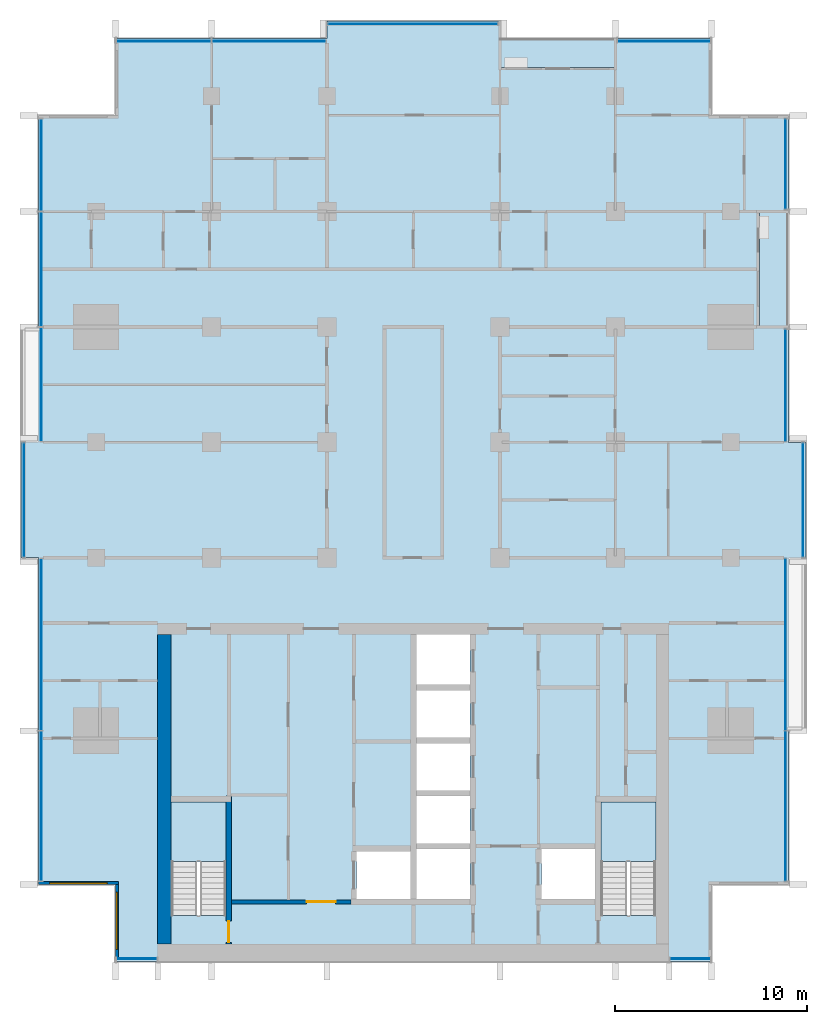
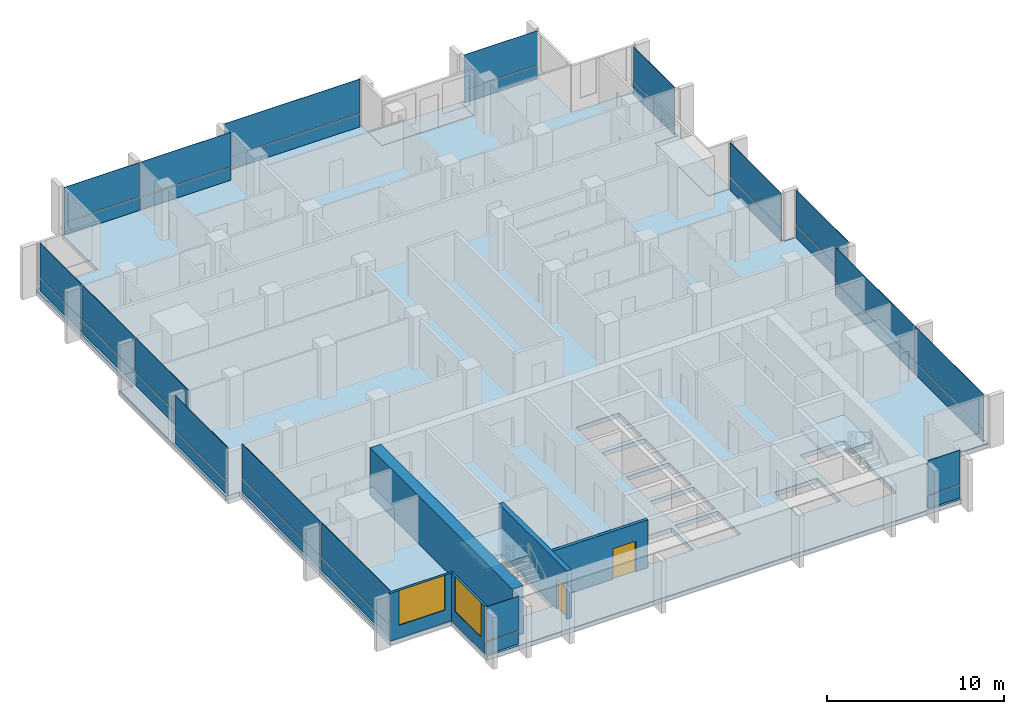
# One storey, part 6 of 16: 34 plates, 5 slabs, 5 walls, 2 doors, 2 windows, 4 openings, 14 elements without a shape of their own.
"""IFC4 building model written with IfcOpenShell, lengths in metres."""

from ifc_helpers import new_model, si_unit, direction, frame, frame_2d, origin, origin_2d, place, context, subcontext, project, spatial, polyline, rectangle, outline, extrude, material, layer, layer_set, type_object, element, fill, aggregate, save


model = new_model("IFC4")

# Units and contexts
model_context = context("Model", 3, precision=1e-05, world=origin(), true_north=direction((0.0, 1.0)))
body_context = subcontext(model_context, "Body", "Model", "MODEL_VIEW")
ifc_project = project(units=[si_unit("LENGTHUNIT", "METRE"), si_unit("AREAUNIT", "SQUARE_METRE"), si_unit("VOLUMEUNIT", "CUBIC_METRE"), si_unit("PLANEANGLEUNIT", "RADIAN"), si_unit("MASSUNIT", "GRAM", prefix="KILO")], contexts=[model_context])

# Site, building, storey
site_placement = place(None, origin())
site = spatial("IfcSite", under=ifc_project, at=site_placement, CompositionType="ELEMENT")
building_placement = place(site_placement, origin())
building = spatial("IfcBuilding", under=site, at=building_placement, Name="Finial Court Residences", CompositionType="ELEMENT")
storey_placement = place(building_placement, frame((0.0, 0.0, 156.5)))
storey = spatial("IfcBuildingStorey", under=building, at=storey_placement, Name="L38", CompositionType="ELEMENT", Elevation=156.5)

# Slabs
ifc_material_1 = material(Name="Concrete C35/45", Category="concrete")
ifc_layer_1 = layer(ifc_material_1, 0.199951171875)
ifc_layer_set_1 = layer_set([ifc_layer_1], Name="Balcony slab, Concrete C35/45 200")
slab_type_1 = type_object("IfcSlabType", Name="Balcony slab, Concrete C35/45 200", PredefinedType="FLOOR", material=ifc_layer_set_1)
slab_1_placement = place(storey_placement, frame((0.0, 0.0, -0.199951171875)))
element("IfcSlab", 1, at=slab_1_placement, inside=storey, type_object=slab_type_1, Name="Balcony L38-N4", PredefinedType="FLOOR", context=body_context, shape_type="SweptSolid", body=[
    extrude(outline(polyline([(10.5, 21.0), (10.5, 22.5), (4.5, 22.5), (4.5, 21.0), (10.5, 21.0)])), origin(), (0.0, 0.0, 1.0), 0.199951171875),
])
slab_2_placement = place(storey_placement, frame((0.0, 0.0, -0.199951171875)))
element("IfcSlab", 2, at=slab_2_placement, inside=storey, type_object=slab_type_1, Name="Balcony L38-E5", PredefinedType="FLOOR", context=body_context, shape_type="SweptSolid", body=[
    extrude(outline(polyline([(19.5, 7.5), (19.5, 13.5), (18.0, 13.5), (18.0, 7.5), (19.5, 7.5)])), origin(), (0.0, 0.0, 1.0), 0.199951171875),
])

# Curtain wall, plates
ifc_material_2 = material(Name="Bronze anodised aluminium", Category="aluminium")
curtain_wall_type = type_object("IfcCurtainWallType", Name="Unitised curtain wall, upper zones", PredefinedType="NOTDEFINED", material=ifc_material_2)
curtain_wall_1_placement = place(storey_placement, origin())
curtain_wall_1 = element("IfcCurtainWall", 3, at=curtain_wall_1_placement, inside=storey, type_object=curtain_wall_type, Name="E-L38-CW-N1", PredefinedType="NOTDEFINED")
ifc_layer_2 = layer(ifc_material_2, 0.035888671875)
ifc_layer_set_2 = layer_set([ifc_layer_2], Name="CW2 spandrel panel 36")
plate_type_1 = type_object("IfcPlateType", Name="CW2 spandrel panel 36", PredefinedType="CURTAIN_PANEL", material=ifc_layer_set_2)
plate_1_placement = place(storey_placement, frame((-12.985107421875, 22.35009765625, 0.0), z_axis=(0.0, 0.0, 1.0), x_axis=(1.0, 0.0, 0.0)))
plate_1 = element("IfcPlate", 4, at=plate_1_placement, type_object=plate_type_1, Name="CW2 spandrel 1.1", PredefinedType="CURTAIN_PANEL", context=body_context, shape_type="SweptSolid", body=[
    extrude(rectangle(XDim=4.909912109375, YDim=0.035888671875, at=origin_2d()), origin(), (0.0, 0.0, 1.0), 0.8701171875),
])
plate_2_placement = place(storey_placement, frame((-7.514892578125, 22.35009765625, 0.0), z_axis=(0.0, 0.0, 1.0), x_axis=(1.0, 0.0, 0.0)))
plate_2 = element("IfcPlate", 5, at=plate_2_placement, type_object=plate_type_1, Name="CW2 spandrel 2.1", PredefinedType="CURTAIN_PANEL", context=body_context, shape_type="SweptSolid", body=[
    extrude(rectangle(XDim=5.909912109375, YDim=0.035888671875, at=origin_2d()), origin(), (0.0, 0.0, 1.0), 0.8701171875),
])

# Curtain wall, plate
curtain_wall_2_placement = place(storey_placement, origin())
curtain_wall_2 = element("IfcCurtainWall", 6, at=curtain_wall_2_placement, inside=storey, type_object=curtain_wall_type, Name="E-L38-CW-N2", PredefinedType="NOTDEFINED")
plate_3_placement = place(storey_placement, frame((-0.03759765625, 23.25, 0.0), z_axis=(0.0, 0.0, 1.0), x_axis=(1.0, 0.0, 0.0)))
plate_3 = element("IfcPlate", 7, at=plate_3_placement, type_object=plate_type_1, Name="CW2 spandrel 1.1", PredefinedType="CURTAIN_PANEL", context=body_context, shape_type="SweptSolid", body=[
    extrude(rectangle(XDim=8.804931640625, YDim=0.035888671875, at=origin_2d()), origin(), (0.0, 0.0, 1.0), 0.8701171875),
])

curtain_wall_3_placement = place(storey_placement, origin())
curtain_wall_3 = element("IfcCurtainWall", 8, at=curtain_wall_3_placement, inside=storey, type_object=curtain_wall_type, Name="E-L38-CW-N3", PredefinedType="NOTDEFINED")
plate_4_placement = place(storey_placement, frame((13.03759765625, 22.35009765625, 0.0), z_axis=(0.0, 0.0, 1.0), x_axis=(1.0, 0.0, 0.0)))
plate_4 = element("IfcPlate", 9, at=plate_4_placement, type_object=plate_type_1, Name="CW2 spandrel 1.1", PredefinedType="CURTAIN_PANEL", context=body_context, shape_type="SweptSolid", body=[
    extrude(rectangle(XDim=4.804931640625, YDim=0.035888671875, at=origin_2d()), origin(), (0.0, 0.0, 1.0), 0.8701171875),
])

# Curtain wall, plates
curtain_wall_4_placement = place(storey_placement, origin())
curtain_wall_4 = element("IfcCurtainWall", 10, at=curtain_wall_4_placement, inside=storey, type_object=curtain_wall_type, Name="E-L38-CW-E4", PredefinedType="NOTDEFINED")
plate_5_placement = place(storey_placement, frame((19.35009765625, -17.409912109375, 0.0), z_axis=(0.0, 0.0, 1.0), x_axis=(0.0, 1.0, 0.0)))
plate_5 = element("IfcPlate", 11, at=plate_5_placement, type_object=plate_type_1, Name="CW2 spandrel 1.1", PredefinedType="CURTAIN_PANEL", context=body_context, shape_type="SweptSolid", body=[
    extrude(rectangle(XDim=7.760009765625, YDim=0.035888671875, at=origin_2d()), origin(), (0.0, 0.0, 1.0), 0.8701171875),
])
plate_6_placement = place(storey_placement, frame((19.35009765625, -9.014892578125, 0.0), z_axis=(0.0, 0.0, 1.0), x_axis=(0.0, 1.0, 0.0)))
plate_6 = element("IfcPlate", 12, at=plate_6_placement, type_object=plate_type_1, Name="CW2 spandrel 2.1", PredefinedType="CURTAIN_PANEL", context=body_context, shape_type="SweptSolid", body=[
    extrude(rectangle(XDim=8.909912109375, YDim=0.035888671875, at=origin_2d()), origin(), (0.0, 0.0, 1.0), 0.8701171875),
])

# Curtain wall, plate
curtain_wall_5_placement = place(storey_placement, origin())
curtain_wall_5 = element("IfcCurtainWall", 13, at=curtain_wall_5_placement, inside=storey, type_object=curtain_wall_type, Name="E-L38-CW-E5", PredefinedType="NOTDEFINED")
plate_7_placement = place(storey_placement, frame((20.25, -1.5, 0.0), z_axis=(0.0, 0.0, 1.0), x_axis=(0.0, 1.0, 0.0)))
plate_7 = element("IfcPlate", 14, at=plate_7_placement, type_object=plate_type_1, Name="CW2 spandrel 1.1", PredefinedType="CURTAIN_PANEL", context=body_context, shape_type="SweptSolid", body=[
    extrude(rectangle(XDim=5.8798828125, YDim=0.035888671875, at=origin_2d()), origin(), (0.0, 0.0, 1.0), 0.8701171875),
])

curtain_wall_6_placement = place(storey_placement, origin())
curtain_wall_6 = element("IfcCurtainWall", 15, at=curtain_wall_6_placement, inside=storey, type_object=curtain_wall_type, Name="E-L38-CW-E6", PredefinedType="NOTDEFINED")
plate_8_placement = place(storey_placement, frame((19.35009765625, 4.46240234375, 0.0), z_axis=(0.0, 0.0, 1.0), x_axis=(0.0, 1.0, 0.0)))
plate_8 = element("IfcPlate", 16, at=plate_8_placement, type_object=plate_type_1, Name="CW2 spandrel 1.1", PredefinedType="CURTAIN_PANEL", context=body_context, shape_type="SweptSolid", body=[
    extrude(rectangle(XDim=5.804931640625, YDim=0.035888671875, at=origin_2d()), origin(), (0.0, 0.0, 1.0), 0.8701171875),
])

curtain_wall_7_placement = place(storey_placement, origin())
curtain_wall_7 = element("IfcCurtainWall", 17, at=curtain_wall_7_placement, inside=storey, type_object=curtain_wall_type, Name="E-L38-CW-E7", PredefinedType="NOTDEFINED")
plate_9_placement = place(storey_placement, frame((19.35009765625, 15.96240234375, 0.0), z_axis=(0.0, 0.0, 1.0), x_axis=(0.0, 1.0, 0.0)))
plate_9 = element("IfcPlate", 18, at=plate_9_placement, type_object=plate_type_1, Name="CW2 spandrel 1.1", PredefinedType="CURTAIN_PANEL", context=body_context, shape_type="SweptSolid", body=[
    extrude(rectangle(XDim=4.655029296875, YDim=0.035888671875, at=origin_2d()), origin(), (0.0, 0.0, 1.0), 0.8701171875),
])

curtain_wall_8_placement = place(storey_placement, origin())
curtain_wall_8 = element("IfcCurtainWall", 19, at=curtain_wall_8_placement, inside=storey, type_object=curtain_wall_type, Name="E-L38-CW-S8", PredefinedType="NOTDEFINED")
plate_10_placement = place(storey_placement, frame((-14.39990234375, -25.35009765625, 0.0), z_axis=(0.0, 0.0, 1.0), x_axis=(1.0, 0.0, 0.0)))
plate_10 = element("IfcPlate", 20, at=plate_10_placement, type_object=plate_type_1, Name="CW2 spandrel 1.1", PredefinedType="CURTAIN_PANEL", context=body_context, shape_type="SweptSolid", body=[
    extrude(rectangle(XDim=2.080078125, YDim=0.035888671875, at=origin_2d()), origin(), (0.0, 0.0, 1.0), 0.8701171875),
])

curtain_wall_9_placement = place(storey_placement, origin())
curtain_wall_9 = element("IfcCurtainWall", 21, at=curtain_wall_9_placement, inside=storey, type_object=curtain_wall_type, Name="E-L38-CW-S9", PredefinedType="NOTDEFINED")
plate_11_placement = place(storey_placement, frame((14.39990234375, -25.35009765625, 0.0), z_axis=(0.0, 0.0, 1.0), x_axis=(1.0, 0.0, 0.0)))
plate_11 = element("IfcPlate", 22, at=plate_11_placement, type_object=plate_type_1, Name="CW2 spandrel 1.1", PredefinedType="CURTAIN_PANEL", context=body_context, shape_type="SweptSolid", body=[
    extrude(rectangle(XDim=2.080078125, YDim=0.035888671875, at=origin_2d()), origin(), (0.0, 0.0, 1.0), 0.8701171875),
])

# Curtain wall, plates
curtain_wall_10_placement = place(storey_placement, origin())
curtain_wall_10 = element("IfcCurtainWall", 23, at=curtain_wall_10_placement, inside=storey, type_object=curtain_wall_type, Name="E-L38-CW-W10", PredefinedType="NOTDEFINED")
plate_12_placement = place(storey_placement, frame((-19.35009765625, -17.409912109375, 0.0), z_axis=(0.0, 0.0, 1.0), x_axis=(0.0, 1.0, 0.0)))
plate_12 = element("IfcPlate", 24, at=plate_12_placement, type_object=plate_type_1, Name="CW2 spandrel 1.1", PredefinedType="CURTAIN_PANEL", context=body_context, shape_type="SweptSolid", body=[
    extrude(rectangle(XDim=7.760009765625, YDim=0.035888671875, at=origin_2d()), origin(), (0.0, 0.0, 1.0), 0.8701171875),
])
plate_13_placement = place(storey_placement, frame((-19.35009765625, -9.014892578125, 0.0), z_axis=(0.0, 0.0, 1.0), x_axis=(0.0, 1.0, 0.0)))
plate_13 = element("IfcPlate", 25, at=plate_13_placement, type_object=plate_type_1, Name="CW2 spandrel 2.1", PredefinedType="CURTAIN_PANEL", context=body_context, shape_type="SweptSolid", body=[
    extrude(rectangle(XDim=8.909912109375, YDim=0.035888671875, at=origin_2d()), origin(), (0.0, 0.0, 1.0), 0.8701171875),
])

# Curtain wall, plate
curtain_wall_11_placement = place(storey_placement, origin())
curtain_wall_11 = element("IfcCurtainWall", 26, at=curtain_wall_11_placement, inside=storey, type_object=curtain_wall_type, Name="E-L38-CW-W11", PredefinedType="NOTDEFINED")
plate_14_placement = place(storey_placement, frame((-20.25, -1.5, 0.0), z_axis=(0.0, 0.0, 1.0), x_axis=(0.0, 1.0, 0.0)))
plate_14 = element("IfcPlate", 27, at=plate_14_placement, type_object=plate_type_1, Name="CW2 spandrel 1.1", PredefinedType="CURTAIN_PANEL", context=body_context, shape_type="SweptSolid", body=[
    extrude(rectangle(XDim=5.8798828125, YDim=0.035888671875, at=origin_2d()), origin(), (0.0, 0.0, 1.0), 0.8701171875),
])

# Curtain wall, plates
curtain_wall_12_placement = place(storey_placement, origin())
curtain_wall_12 = element("IfcCurtainWall", 28, at=curtain_wall_12_placement, inside=storey, type_object=curtain_wall_type, Name="E-L38-CW-W12", PredefinedType="NOTDEFINED")
plate_15_placement = place(storey_placement, frame((-19.35009765625, 4.514892578125, 0.0), z_axis=(0.0, 0.0, 1.0), x_axis=(0.0, 1.0, 0.0)))
plate_15 = element("IfcPlate", 29, at=plate_15_placement, type_object=plate_type_1, Name="CW2 spandrel 1.1", PredefinedType="CURTAIN_PANEL", context=body_context, shape_type="SweptSolid", body=[
    extrude(rectangle(XDim=5.909912109375, YDim=0.035888671875, at=origin_2d()), origin(), (0.0, 0.0, 1.0), 0.8701171875),
])
plate_16_placement = place(storey_placement, frame((-19.35009765625, 10.5, 0.0), z_axis=(0.0, 0.0, 1.0), x_axis=(0.0, 1.0, 0.0)))
plate_16 = element("IfcPlate", 30, at=plate_16_placement, type_object=plate_type_1, Name="CW2 spandrel 2.1", PredefinedType="CURTAIN_PANEL", context=body_context, shape_type="SweptSolid", body=[
    extrude(rectangle(XDim=5.93994140625, YDim=0.035888671875, at=origin_2d()), origin(), (0.0, 0.0, 1.0), 0.8701171875),
])
plate_17_placement = place(storey_placement, frame((-19.35009765625, 15.909912109375, 0.0), z_axis=(0.0, 0.0, 1.0), x_axis=(0.0, 1.0, 0.0)))
plate_17 = element("IfcPlate", 31, at=plate_17_placement, type_object=plate_type_1, Name="CW2 spandrel 3.1", PredefinedType="CURTAIN_PANEL", context=body_context, shape_type="SweptSolid", body=[
    extrude(rectangle(XDim=4.760009765625, YDim=0.035888671875, at=origin_2d()), origin(), (0.0, 0.0, 1.0), 0.8701171875),
])

# Plate
ifc_material_3 = material(Name="Clear low-e glass", Category="glass")
ifc_layer_3 = layer(ifc_material_3, 0.030029296875)
ifc_layer_set_3 = layer_set([ifc_layer_3], Name="CW2 vision glass 30")
plate_type_2 = type_object("IfcPlateType", Name="CW2 vision glass 30", PredefinedType="CURTAIN_PANEL", material=ifc_layer_set_3)
plate_18_placement = place(storey_placement, frame((-12.985107421875, 22.35009765625, 0.929931640625), z_axis=(0.0, 0.0, 1.0), x_axis=(1.0, 0.0, 0.0)))
plate_18 = element("IfcPlate", 32, at=plate_18_placement, type_object=plate_type_2, Name="CW2 glass 1.2", PredefinedType="CURTAIN_PANEL", context=body_context, shape_type="SweptSolid", body=[
    extrude(rectangle(XDim=4.909912109375, YDim=0.030029296875, at=origin_2d()), origin(), (0.0, 0.0, 1.0), 2.3701171875),
])

plate_19_placement = place(storey_placement, frame((-7.514892578125, 22.35009765625, 0.929931640625), z_axis=(0.0, 0.0, 1.0), x_axis=(1.0, 0.0, 0.0)))
plate_19 = element("IfcPlate", 33, at=plate_19_placement, type_object=plate_type_2, Name="CW2 glass 2.2", PredefinedType="CURTAIN_PANEL", context=body_context, shape_type="SweptSolid", body=[
    extrude(rectangle(XDim=5.909912109375, YDim=0.030029296875, at=origin_2d()), origin(), (0.0, 0.0, 1.0), 2.3701171875),
])

aggregate(curtain_wall_1, [plate_1, plate_18, plate_2, plate_19])

plate_20_placement = place(storey_placement, frame((-0.03759765625, 23.25, 0.929931640625), z_axis=(0.0, 0.0, 1.0), x_axis=(1.0, 0.0, 0.0)))
plate_20 = element("IfcPlate", 34, at=plate_20_placement, type_object=plate_type_2, Name="CW2 glass 1.2", PredefinedType="CURTAIN_PANEL", context=body_context, shape_type="SweptSolid", body=[
    extrude(rectangle(XDim=8.804931640625, YDim=0.030029296875, at=origin_2d()), origin(), (0.0, 0.0, 1.0), 2.3701171875),
])

aggregate(curtain_wall_2, [plate_3, plate_20])

plate_21_placement = place(storey_placement, frame((13.03759765625, 22.35009765625, 0.929931640625), z_axis=(0.0, 0.0, 1.0), x_axis=(1.0, 0.0, 0.0)))
plate_21 = element("IfcPlate", 35, at=plate_21_placement, type_object=plate_type_2, Name="CW2 glass 1.2", PredefinedType="CURTAIN_PANEL", context=body_context, shape_type="SweptSolid", body=[
    extrude(rectangle(XDim=4.804931640625, YDim=0.030029296875, at=origin_2d()), origin(), (0.0, 0.0, 1.0), 2.3701171875),
])

aggregate(curtain_wall_3, [plate_4, plate_21])

plate_22_placement = place(storey_placement, frame((19.35009765625, -17.409912109375, 0.929931640625), z_axis=(0.0, 0.0, 1.0), x_axis=(0.0, 1.0, 0.0)))
plate_22 = element("IfcPlate", 36, at=plate_22_placement, type_object=plate_type_2, Name="CW2 glass 1.2", PredefinedType="CURTAIN_PANEL", context=body_context, shape_type="SweptSolid", body=[
    extrude(rectangle(XDim=7.760009765625, YDim=0.030029296875, at=origin_2d()), origin(), (0.0, 0.0, 1.0), 2.3701171875),
])

plate_23_placement = place(storey_placement, frame((19.35009765625, -9.014892578125, 0.929931640625), z_axis=(0.0, 0.0, 1.0), x_axis=(0.0, 1.0, 0.0)))
plate_23 = element("IfcPlate", 37, at=plate_23_placement, type_object=plate_type_2, Name="CW2 glass 2.2", PredefinedType="CURTAIN_PANEL", context=body_context, shape_type="SweptSolid", body=[
    extrude(rectangle(XDim=8.909912109375, YDim=0.030029296875, at=origin_2d()), origin(), (0.0, 0.0, 1.0), 2.3701171875),
])

aggregate(curtain_wall_4, [plate_5, plate_22, plate_6, plate_23])

plate_24_placement = place(storey_placement, frame((20.25, -1.5, 0.929931640625), z_axis=(0.0, 0.0, 1.0), x_axis=(0.0, 1.0, 0.0)))
plate_24 = element("IfcPlate", 38, at=plate_24_placement, type_object=plate_type_2, Name="CW2 glass 1.2", PredefinedType="CURTAIN_PANEL", context=body_context, shape_type="SweptSolid", body=[
    extrude(rectangle(XDim=5.8798828125, YDim=0.030029296875, at=origin_2d()), origin(), (0.0, 0.0, 1.0), 2.3701171875),
])

aggregate(curtain_wall_5, [plate_7, plate_24])

plate_25_placement = place(storey_placement, frame((19.35009765625, 4.46240234375, 0.929931640625), z_axis=(0.0, 0.0, 1.0), x_axis=(0.0, 1.0, 0.0)))
plate_25 = element("IfcPlate", 39, at=plate_25_placement, type_object=plate_type_2, Name="CW2 glass 1.2", PredefinedType="CURTAIN_PANEL", context=body_context, shape_type="SweptSolid", body=[
    extrude(rectangle(XDim=5.804931640625, YDim=0.030029296875, at=origin_2d()), origin(), (0.0, 0.0, 1.0), 2.3701171875),
])

aggregate(curtain_wall_6, [plate_8, plate_25])

plate_26_placement = place(storey_placement, frame((19.35009765625, 15.96240234375, 0.929931640625), z_axis=(0.0, 0.0, 1.0), x_axis=(0.0, 1.0, 0.0)))
plate_26 = element("IfcPlate", 40, at=plate_26_placement, type_object=plate_type_2, Name="CW2 glass 1.2", PredefinedType="CURTAIN_PANEL", context=body_context, shape_type="SweptSolid", body=[
    extrude(rectangle(XDim=4.655029296875, YDim=0.030029296875, at=origin_2d()), origin(), (0.0, 0.0, 1.0), 2.3701171875),
])

aggregate(curtain_wall_7, [plate_9, plate_26])

plate_27_placement = place(storey_placement, frame((-14.39990234375, -25.35009765625, 0.929931640625), z_axis=(0.0, 0.0, 1.0), x_axis=(1.0, 0.0, 0.0)))
plate_27 = element("IfcPlate", 41, at=plate_27_placement, type_object=plate_type_2, Name="CW2 glass 1.2", PredefinedType="CURTAIN_PANEL", context=body_context, shape_type="SweptSolid", body=[
    extrude(rectangle(XDim=2.080078125, YDim=0.030029296875, at=origin_2d()), origin(), (0.0, 0.0, 1.0), 2.3701171875),
])

aggregate(curtain_wall_8, [plate_10, plate_27])

plate_28_placement = place(storey_placement, frame((14.39990234375, -25.35009765625, 0.929931640625), z_axis=(0.0, 0.0, 1.0), x_axis=(1.0, 0.0, 0.0)))
plate_28 = element("IfcPlate", 42, at=plate_28_placement, type_object=plate_type_2, Name="CW2 glass 1.2", PredefinedType="CURTAIN_PANEL", context=body_context, shape_type="SweptSolid", body=[
    extrude(rectangle(XDim=2.080078125, YDim=0.030029296875, at=origin_2d()), origin(), (0.0, 0.0, 1.0), 2.3701171875),
])

aggregate(curtain_wall_9, [plate_11, plate_28])

plate_29_placement = place(storey_placement, frame((-19.35009765625, -17.409912109375, 0.929931640625), z_axis=(0.0, 0.0, 1.0), x_axis=(0.0, 1.0, 0.0)))
plate_29 = element("IfcPlate", 43, at=plate_29_placement, type_object=plate_type_2, Name="CW2 glass 1.2", PredefinedType="CURTAIN_PANEL", context=body_context, shape_type="SweptSolid", body=[
    extrude(rectangle(XDim=7.760009765625, YDim=0.030029296875, at=origin_2d()), origin(), (0.0, 0.0, 1.0), 2.3701171875),
])

plate_30_placement = place(storey_placement, frame((-19.35009765625, -9.014892578125, 0.929931640625), z_axis=(0.0, 0.0, 1.0), x_axis=(0.0, 1.0, 0.0)))
plate_30 = element("IfcPlate", 44, at=plate_30_placement, type_object=plate_type_2, Name="CW2 glass 2.2", PredefinedType="CURTAIN_PANEL", context=body_context, shape_type="SweptSolid", body=[
    extrude(rectangle(XDim=8.909912109375, YDim=0.030029296875, at=origin_2d()), origin(), (0.0, 0.0, 1.0), 2.3701171875),
])

aggregate(curtain_wall_10, [plate_12, plate_29, plate_13, plate_30])

plate_31_placement = place(storey_placement, frame((-20.25, -1.5, 0.929931640625), z_axis=(0.0, 0.0, 1.0), x_axis=(0.0, 1.0, 0.0)))
plate_31 = element("IfcPlate", 45, at=plate_31_placement, type_object=plate_type_2, Name="CW2 glass 1.2", PredefinedType="CURTAIN_PANEL", context=body_context, shape_type="SweptSolid", body=[
    extrude(rectangle(XDim=5.8798828125, YDim=0.030029296875, at=origin_2d()), origin(), (0.0, 0.0, 1.0), 2.3701171875),
])

aggregate(curtain_wall_11, [plate_14, plate_31])

plate_32_placement = place(storey_placement, frame((-19.35009765625, 4.514892578125, 0.929931640625), z_axis=(0.0, 0.0, 1.0), x_axis=(0.0, 1.0, 0.0)))
plate_32 = element("IfcPlate", 46, at=plate_32_placement, type_object=plate_type_2, Name="CW2 glass 1.2", PredefinedType="CURTAIN_PANEL", context=body_context, shape_type="SweptSolid", body=[
    extrude(rectangle(XDim=5.909912109375, YDim=0.030029296875, at=origin_2d()), origin(), (0.0, 0.0, 1.0), 2.3701171875),
])

plate_33_placement = place(storey_placement, frame((-19.35009765625, 10.5, 0.929931640625), z_axis=(0.0, 0.0, 1.0), x_axis=(0.0, 1.0, 0.0)))
plate_33 = element("IfcPlate", 47, at=plate_33_placement, type_object=plate_type_2, Name="CW2 glass 2.2", PredefinedType="CURTAIN_PANEL", context=body_context, shape_type="SweptSolid", body=[
    extrude(rectangle(XDim=5.93994140625, YDim=0.030029296875, at=origin_2d()), origin(), (0.0, 0.0, 1.0), 2.3701171875),
])

plate_34_placement = place(storey_placement, frame((-19.35009765625, 15.909912109375, 0.929931640625), z_axis=(0.0, 0.0, 1.0), x_axis=(0.0, 1.0, 0.0)))
plate_34 = element("IfcPlate", 48, at=plate_34_placement, type_object=plate_type_2, Name="CW2 glass 3.2", PredefinedType="CURTAIN_PANEL", context=body_context, shape_type="SweptSolid", body=[
    extrude(rectangle(XDim=4.760009765625, YDim=0.030029296875, at=origin_2d()), origin(), (0.0, 0.0, 1.0), 2.3701171875),
])

aggregate(curtain_wall_12, [plate_15, plate_32, plate_16, plate_33, plate_17, plate_34])

# Stair, slab
ifc_material_4 = material(Name="Concrete C50/60", Category="concrete")
stair_type = type_object("IfcStairType", Name="Exit stair 22 risers of 163.6 mm", PredefinedType="HALF_TURN_STAIR", material=ifc_material_4)
stair_1_placement = place(storey_placement, origin())
stair_1 = element("IfcStair", 49, at=stair_1_placement, inside=storey, type_object=stair_type, Name="L38 Exit stair ST-1", PredefinedType="HALF_TURN_STAIR")
ifc_layer_4 = layer(ifc_material_4, 0.199951171875)
ifc_layer_set_4 = layer_set([ifc_layer_4], Name="Exit stair landing")
slab_type_2 = type_object("IfcSlabType", Name="Exit stair landing", PredefinedType="LANDING", material=ifc_layer_set_4)
slab_3_placement = place(storey_placement, frame((0.0, 0.0, 1.60009765625)))
slab_3 = element("IfcSlab", 50, at=slab_3_placement, type_object=slab_type_2, Name="ST-1 landing 1", PredefinedType="LANDING", context=body_context, shape_type="SweptSolid", body=[
    extrude(outline(polyline([(-9.75, -20.300048828125), (-9.75, -17.199951171875), (-12.60009765625, -17.199951171875), (-12.60009765625, -20.300048828125), (-9.75, -20.300048828125)])), origin(), (0.0, 0.0, 1.0), 0.199951171875),
])
aggregate(stair_1, [slab_3])

stair_2_placement = place(storey_placement, origin())
stair_2 = element("IfcStair", 51, at=stair_2_placement, inside=storey, type_object=stair_type, Name="L38 Exit stair ST-2", PredefinedType="HALF_TURN_STAIR")
slab_4_placement = place(storey_placement, frame((0.0, 0.0, 1.60009765625)))
slab_4 = element("IfcSlab", 52, at=slab_4_placement, type_object=slab_type_2, Name="ST-2 landing 1", PredefinedType="LANDING", context=body_context, shape_type="SweptSolid", body=[
    extrude(outline(polyline([(12.60009765625, -20.300048828125), (12.60009765625, -17.199951171875), (9.75, -17.199951171875), (9.75, -20.300048828125), (12.60009765625, -20.300048828125)])), origin(), (0.0, 0.0, 1.0), 0.199951171875),
])
aggregate(stair_2, [slab_4])

# Slab
ifc_material_5 = material(Name="Concrete C40/50", Category="concrete")
ifc_layer_5 = layer(ifc_material_5, 0.300048828125)
ifc_layer_set_5 = layer_set([ifc_layer_5], Name="Flat plate slab 300 Concrete C40/50")
slab_type_3 = type_object("IfcSlabType", Name="Flat plate slab 300 Concrete C40/50", PredefinedType="FLOOR", material=ifc_layer_set_5)
slab_5_placement = place(storey_placement, frame((0.0, 0.0, -0.300048828125)))
element("IfcSlab", 53, at=slab_5_placement, inside=storey, type_object=slab_type_3, Name="S:SLAB:L38", PredefinedType="FLOOR", context=body_context, shape_type="SweptSolid", body=[
    extrude(outline(polyline([(20.39990234375, -13.5), (19.5, -13.5), (19.5, -21.5), (15.5, -21.5), (15.5, -25.5), (-15.5, -25.5), (-15.5, -21.5), (-19.5, -21.5), (-19.5, -4.5), (-20.39990234375, -4.5), (-20.39990234375, 1.5), (-20.39990234375, 7.5), (-19.5, 7.5), (-19.5, 18.5), (-15.5, 18.5), (-15.5, 22.5), (-4.5, 22.5), (-4.5, 23.39990234375), (4.5, 23.39990234375), (4.5, 22.5), (4.5, 21.0), (10.5, 21.0), (10.5, 22.5), (15.5, 22.5), (15.5, 18.5), (19.5, 18.5), (19.5, 13.5), (18.0, 13.5), (18.0, 7.5), (19.5, 7.5), (19.5, 1.5), (20.39990234375, 1.5), (20.39990234375, -4.5), (20.39990234375, -13.5)]), holes=[polyline([(-0.14990234375, -19.77001953125), (-2.949951171875, -19.77001953125), (-2.949951171875, -22.25), (-0.14990234375, -22.25), (-0.14990234375, -19.77001953125)]), polyline([(2.949951171875, -19.64990234375), (0.14990234375, -19.64990234375), (0.14990234375, -22.25), (2.949951171875, -22.25), (2.949951171875, -19.64990234375)]), polyline([(9.449951171875, -19.64990234375), (6.64990234375, -19.64990234375), (6.64990234375, -22.25), (9.449951171875, -22.25), (9.449951171875, -19.64990234375)]), polyline([(-12.60009765625, -17.199951171875), (-12.60009765625, -23.09912109375), (-9.75, -23.09912109375), (-9.75, -17.199951171875), (-12.60009765625, -17.199951171875)]), polyline([(9.75, -17.199951171875), (9.75, -23.09912109375), (12.60009765625, -23.09912109375), (12.60009765625, -17.199951171875), (9.75, -17.199951171875)]), polyline([(2.949951171875, -16.89990234375), (0.14990234375, -16.89990234375), (0.14990234375, -19.35009765625), (2.949951171875, -19.35009765625), (2.949951171875, -16.89990234375)]), polyline([(2.949951171875, -14.14990234375), (0.14990234375, -14.14990234375), (0.14990234375, -16.60009765625), (2.949951171875, -16.60009765625), (2.949951171875, -14.14990234375)]), polyline([(2.949951171875, -13.85009765625), (2.949951171875, -11.39990234375), (0.14990234375, -11.39990234375), (0.14990234375, -13.85009765625), (2.949951171875, -13.85009765625)]), polyline([(2.949951171875, -11.10009765625), (2.949951171875, -8.5), (0.14990234375, -8.5), (0.14990234375, -11.10009765625), (2.949951171875, -11.10009765625)])]), origin(), (0.0, 0.0, 1.0), 0.300048828125),
])

# Wall
ifc_material_6 = material(Name="Concrete C70/85", Category="concrete")
ifc_layer_6 = layer(ifc_material_6, 0.699951171875)
ifc_layer_set_6 = layer_set([ifc_layer_6], Name="Core outer wall 700 Concrete C70/85")
wall_type_1 = type_object("IfcWallType", Name="Core outer wall 700 Concrete C70/85", PredefinedType="SHEAR", material=ifc_layer_set_6)
wall_1_placement = place(storey_placement, frame((-12.949951171875, -24.60009765625, 0.0), z_axis=(0.0, 0.0, 1.0), x_axis=(0.0, 1.0, 0.0)))
element("IfcWall", 54, at=wall_1_placement, inside=storey, type_object=wall_type_1, Name="Core outer wall L38-03", PredefinedType="SHEAR", context=body_context, shape_type="SweptSolid", body=[
    extrude(rectangle(XDim=16.10009765625, YDim=0.699951171875, at=frame_2d((8.050048828125, 0.0))), origin(), (0.0, 0.0, 1.0), 3.300048828125),
])

# Wall, opening, door
ifc_layer_7 = layer(ifc_material_6, 0.300048828125)
ifc_layer_set_7 = layer_set([ifc_layer_7], Name="Lift shaft and stair wall 300 Concrete C70/85")
wall_type_2 = type_object("IfcWallType", Name="Lift shaft and stair wall 300 Concrete C70/85", PredefinedType="SHEAR", material=ifc_layer_set_7)
wall_2_placement = place(storey_placement, frame((-9.60009765625, -24.60009765625, 0.0), z_axis=(0.0, 0.0, 1.0), x_axis=(0.0, 1.0, 0.0)))
wall_2 = element("IfcWall", 55, at=wall_2_placement, inside=storey, type_object=wall_type_2, Name="Core wall L38-17", PredefinedType="SHEAR", context=body_context, shape_type="SweptSolid", body=[
    extrude(rectangle(XDim=7.7001953125, YDim=0.300048828125, at=frame_2d((3.85009765625, 0.0))), origin(), (0.0, 0.0, 1.0), 3.300048828125),
])
opening_1_placement = place(wall_2_placement, frame((0.10009765625, 0.0, 0.0)))
opening_1 = element("IfcOpeningElement", 56, at=opening_1_placement, cuts=wall_2, Name="Opening L38-C17", PredefinedType="OPENING", context=body_context, shape_type="SweptSolid", body=[
    extrude(rectangle(XDim=1.10009765625, YDim=2.10009765625, at=frame_2d((0.550048828125, 1.050048828125))), frame((0.0, 0.159912109375, 0.0), z_axis=(0.0, -1.0, 0.0), x_axis=(1.0, 0.0, 0.0)), (0.0, 0.0, 1.0), 0.320068359375),
])
ifc_material_7 = material(Name="Steel fire door", Category="steel")
door_type_1 = type_object("IfcDoorType", Name="Stair door 1100 x 2100 EI 90", OperationType="NOTDEFINED", PredefinedType="DOOR", material=ifc_material_7)
door_1_placement = place(opening_1_placement, origin())
door_1 = element("IfcDoor", 57, at=door_1_placement, inside=storey, type_object=door_type_1, Name="Stair door L38-C17", OperationType="SINGLE_SWING_LEFT", OverallHeight=2.10009765625, OverallWidth=1.10009765625, PredefinedType="DOOR", context=body_context, shape_type="SweptSolid", body=[
    extrude(rectangle(XDim=1.10009765625, YDim=2.10009765625, at=frame_2d((0.550048828125, 1.050048828125))), frame((0.0, 0.02490234375, 0.0), z_axis=(0.0, -1.0, 0.0), x_axis=(1.0, 0.0, 0.0)), (0.0, 0.0, 1.0), 0.050048828125),
])
fill(opening_1, door_1)

# Wall, opening, window
ifc_material_8 = material(Name="Natural limestone", Category="masonry")
ifc_layer_8 = layer(ifc_material_8, 0.14990234375)
ifc_layer_set_8 = layer_set([ifc_layer_8], Name="Limestone clad wall 150")
wall_type_3 = type_object("IfcWallType", Name="Limestone clad wall 150", PredefinedType="SOLIDWALL", material=ifc_layer_set_8)
wall_3_placement = place(storey_placement, frame((-15.425048828125, -25.262451171875, 0.0), z_axis=(0.0, 0.0, 1.0), x_axis=(0.0, 1.0, 0.0)))
wall_3 = element("IfcWall", 58, at=wall_3_placement, inside=storey, type_object=wall_type_3, Name="E-L38-NWW13", PredefinedType="SOLIDWALL", context=body_context, shape_type="SweptSolid", body=[
    extrude(rectangle(XDim=3.762451171875, YDim=0.14990234375, at=frame_2d((1.88134765625, 0.0))), origin(), (0.0, 0.0, 1.0), 3.300048828125),
])
opening_2_placement = place(wall_3_placement, frame((0.401123046875, 0.0, 0.89990234375)))
opening_2 = element("IfcOpeningElement", 59, at=opening_2_placement, cuts=wall_3, Name="Opening WE38-01", PredefinedType="OPENING", context=body_context, shape_type="SweptSolid", body=[
    extrude(rectangle(XDim=2.9599609375, YDim=2.39990234375, at=frame_2d((1.47998046875, 1.199951171875))), frame((0.0, 0.0849609375, 0.0), z_axis=(0.0, -1.0, 0.0), x_axis=(1.0, 0.0, 0.0)), (0.0, 0.0, 1.0), 0.169921875),
])
window_type_1 = type_object("IfcWindowType", Name="Corner window 2960 x 2400", PartitioningType="SINGLE_PANEL", PredefinedType="WINDOW", material=ifc_material_3)
window_1_placement = place(opening_2_placement, origin())
window_1 = element("IfcWindow", 60, at=window_1_placement, inside=storey, type_object=window_type_1, Name="E-L38-NWW13-W1", OverallHeight=2.39990234375, OverallWidth=2.9599609375, PartitioningType="SINGLE_PANEL", PredefinedType="WINDOW", context=body_context, shape_type="SweptSolid", body=[
    extrude(rectangle(XDim=2.9599609375, YDim=2.39990234375, at=frame_2d((1.47998046875, 1.199951171875))), frame((0.0, 0.030029296875, 0.0), z_axis=(0.0, -1.0, 0.0), x_axis=(1.0, 0.0, 0.0)), (0.0, 0.0, 1.0), 0.06005859375),
])
fill(opening_2, window_1)

wall_4_placement = place(storey_placement, frame((-15.35009765625, -21.425048828125, 0.0), z_axis=(0.0, 0.0, 1.0), x_axis=(-1.0, 0.0, 0.0)))
wall_4 = element("IfcWall", 61, at=wall_4_placement, inside=storey, type_object=wall_type_3, Name="E-L38-NWS14", PredefinedType="SOLIDWALL", context=body_context, shape_type="SweptSolid", body=[
    extrude(rectangle(XDim=4.14990234375, YDim=0.14990234375, at=frame_2d((2.074951171875, 0.0))), origin(), (0.0, 0.0, 1.0), 3.300048828125),
])
opening_3_placement = place(wall_4_placement, frame((0.574951171875, 0.0, 0.89990234375)))
opening_3 = element("IfcOpeningElement", 62, at=opening_3_placement, cuts=wall_4, Name="Opening WE38-02", PredefinedType="OPENING", context=body_context, shape_type="SweptSolid", body=[
    extrude(rectangle(XDim=3.0, YDim=2.39990234375, at=frame_2d((1.5, 1.199951171875))), frame((0.0, 0.0849609375, 0.0), z_axis=(0.0, -1.0, 0.0), x_axis=(1.0, 0.0, 0.0)), (0.0, 0.0, 1.0), 0.169921875),
])
window_type_2 = type_object("IfcWindowType", Name="Corner window 3000 x 2400", PartitioningType="SINGLE_PANEL", PredefinedType="WINDOW", material=ifc_material_3)
window_2_placement = place(opening_3_placement, origin())
window_2 = element("IfcWindow", 63, at=window_2_placement, inside=storey, type_object=window_type_2, Name="E-L38-NWS14-W1", OverallHeight=2.39990234375, OverallWidth=3.0, PartitioningType="SINGLE_PANEL", PredefinedType="WINDOW", context=body_context, shape_type="SweptSolid", body=[
    extrude(rectangle(XDim=3.0, YDim=2.39990234375, at=frame_2d((1.5, 1.199951171875))), frame((0.0, 0.030029296875, 0.0), z_axis=(0.0, -1.0, 0.0), x_axis=(1.0, 0.0, 0.0)), (0.0, 0.0, 1.0), 0.06005859375),
])
fill(opening_3, window_2)

# Wall, opening, door
ifc_material_9 = material(Name="Fire-rated gypsum board partition")
ifc_layer_9 = layer(ifc_material_9, 0.199951171875)
ifc_layer_set_9 = layer_set([ifc_layer_9], Name="Stair passage wall 200 EI 180")
wall_type_4 = type_object("IfcWallType", Name="Stair passage wall 200 EI 180", PredefinedType="PARTITIONING", material=ifc_layer_set_9)
wall_5_placement = place(storey_placement, frame((-3.25, -22.39990234375, 0.0), z_axis=(0.0, 0.0, 1.0), x_axis=(-1.0, 0.0, 0.0)))
wall_5 = element("IfcWall", 64, at=wall_5_placement, inside=storey, type_object=wall_type_4, Name="Core partition L38-01", PredefinedType="PARTITIONING", context=body_context, shape_type="SweptSolid", body=[
    extrude(rectangle(XDim=6.199951171875, YDim=0.199951171875, at=frame_2d((3.10009765625, 0.0))), origin(), (0.0, 0.0, 1.0), 3.300048828125),
])
opening_4_placement = place(wall_5_placement, frame((0.800048828125, 0.0, 0.0)))
opening_4 = element("IfcOpeningElement", 65, at=opening_4_placement, cuts=wall_5, Name="Opening L38-C03", PredefinedType="OPENING", context=body_context, shape_type="SweptSolid", body=[
    extrude(rectangle(XDim=1.5, YDim=2.10009765625, at=frame_2d((0.75, 1.050048828125))), frame((0.0, 0.10986328125, 0.0), z_axis=(0.0, -1.0, 0.0), x_axis=(1.0, 0.0, 0.0)), (0.0, 0.0, 1.0), 0.219970703125),
])
door_type_2 = type_object("IfcDoorType", Name="Lift lobby door 1500 x 2100 EI 60", OperationType="DOUBLE_DOOR_SINGLE_SWING", PredefinedType="DOOR", material=ifc_material_7)
door_2_placement = place(opening_4_placement, origin())
door_2 = element("IfcDoor", 66, at=door_2_placement, inside=storey, type_object=door_type_2, Name="Lift lobby door L38-C03", OperationType="DOUBLE_DOOR_SINGLE_SWING", OverallHeight=2.10009765625, OverallWidth=1.5, PredefinedType="DOOR", context=body_context, shape_type="SweptSolid", body=[
    extrude(rectangle(XDim=1.5, YDim=2.10009765625, at=frame_2d((0.75, 1.050048828125))), frame((0.0, 0.02490234375, 0.0), z_axis=(0.0, -1.0, 0.0), x_axis=(1.0, 0.0, 0.0)), (0.0, 0.0, 1.0), 0.050048828125),
])
fill(opening_4, door_2)

save(model, "model.ifc")
